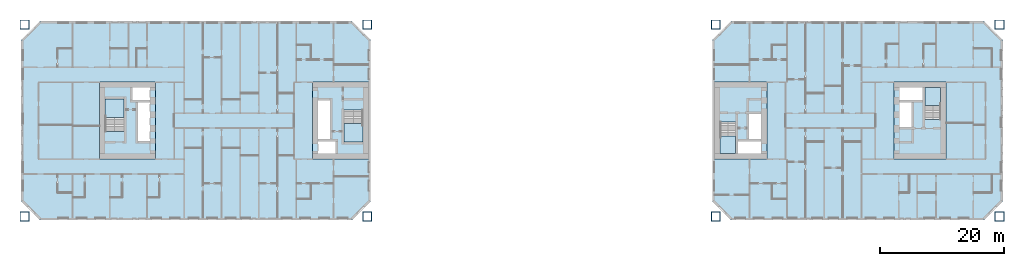
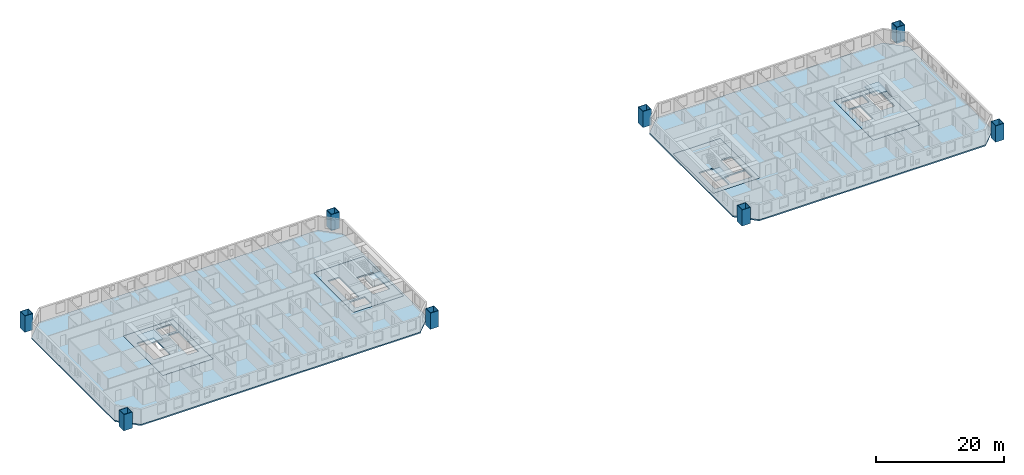
# One storey, part 1 of 17: 10 slabs, 8 columns, 4 elements without a shape of their own.
"""IFC4 building model written with IfcOpenShell, lengths in metres."""

from ifc_helpers import new_model, si_unit, direction, frame, origin, origin_2d, place, context, subcontext, project, spatial, polyline, hollow_rectangle, outline, extrude, material, layer, layer_set, material_profile, profile_set, type_object, element, aggregate, save


model = new_model("IFC4")

# Units and contexts
model_context = context("Model", 3, precision=1e-05, world=origin(), true_north=direction((0.0, 1.0)))
body_context = subcontext(model_context, "Body", "Model", "MODEL_VIEW")
ifc_project = project(units=[si_unit("LENGTHUNIT", "METRE"), si_unit("AREAUNIT", "SQUARE_METRE"), si_unit("VOLUMEUNIT", "CUBIC_METRE"), si_unit("PLANEANGLEUNIT", "RADIAN"), si_unit("MASSUNIT", "GRAM", prefix="KILO")], contexts=[model_context])

# Site, building, storey
site_placement = place(None, origin())
site = spatial("IfcSite", under=ifc_project, at=site_placement, CompositionType="ELEMENT")
building_placement = place(site_placement, origin())
building = spatial("IfcBuilding", under=site, at=building_placement, Name="Tuart Gate Housing", CompositionType="ELEMENT")
storey_placement = place(building_placement, frame((0.0, 0.0, 28.800048828125)))
storey = spatial("IfcBuildingStorey", under=building, at=storey_placement, Name="L07", CompositionType="ELEMENT", Elevation=28.800048828125)

# Columns
ifc_material_1 = material(Name="Steel Grade 350", Category="steel")
ifc_material_profile = material_profile(ifc_material_1, hollow_rectangle(XDim=1.5, YDim=1.5, WallThickness=0.080078125, at=origin_2d()), Name="BOX 1500x1500x80")
ifc_profile_set = profile_set([ifc_material_profile], Name="Steel Grade 350")
column_type = type_object("IfcColumnType", Name="Mega column BOX 1500x1500x80", PredefinedType="COLUMN", material=ifc_profile_set)
for number, where, z_axis, x_axis, name in (
    (1, (20.300048828125, 54.550048828125, 0.0), (0.0, 0.0, 1.0), (1.0, 0.0, 0.0), "Mega column A south-west L07"),
    (2, (75.449951171875, 54.550048828125, 0.0), (0.0, 0.0, 1.0), (1.0, 0.0, 0.0), "Mega column A south-east L07"),
    (3, (75.449951171875, 85.449951171875, 0.0), (0.0, 0.0, 1.0), (1.0, 0.0, 0.0), "Mega column A north-east L07"),
    (4, (20.300048828125, 85.449951171875, 0.0), (0.0, 0.0, 1.0), (1.0, 0.0, 0.0), "Mega column A north-west L07"),
    (5, (131.550048828125, 54.550048828125, 0.0), (0.0, 0.0, 1.0), (1.0, 0.0, 0.0), "Mega column B south-west L07"),
    (6, (177.199951171875, 54.550048828125, 0.0), (0.0, 0.0, 1.0), (1.0, 0.0, 0.0), "Mega column B south-east L07"),
    (7, (177.199951171875, 85.449951171875, 0.0), (0.0, 0.0, 1.0), (1.0, 0.0, 0.0), "Mega column B north-east L07"),
    (8, (131.550048828125, 85.449951171875, 0.0), (0.0, 0.0, 1.0), (1.0, 0.0, 0.0), "Mega column B north-west L07"),
):
    element("IfcColumn", number, at=place(storey_placement, frame(where, z_axis=z_axis, x_axis=x_axis)), inside=storey, type_object=column_type, Name=name, PredefinedType="COLUMN", context=body_context, shape_type="SweptSolid", body=[
        extrude(hollow_rectangle(XDim=1.5, YDim=1.5, WallThickness=0.080078125, at=origin_2d()), origin(), (0.0, 0.0, 1.0), 3.099853515625),
    ])

# Slabs
ifc_material_2 = material(Name="Concrete C40", Category="concrete")
ifc_layer_1 = layer(ifc_material_2, 0.25)
ifc_layer_set_1 = layer_set([ifc_layer_1], Name="Core floor slab 250")
slab_type_1 = type_object("IfcSlabType", Name="Core floor slab 250", PredefinedType="FLOOR", material=ifc_layer_set_1)
slab_1_placement = place(storey_placement, frame((0.0, 0.0, -0.25)))
element("IfcSlab", 9, at=slab_1_placement, inside=storey, type_object=slab_type_1, Name="Core floor AG", PredefinedType="FLOOR", context=body_context, shape_type="SweptSolid", body=[
    extrude(outline(polyline([(66.639892578125, 63.800048828125), (75.639892578125, 63.800048828125), (75.639892578125, 76.199951171875), (66.639892578125, 76.199951171875), (66.639892578125, 63.800048828125)]), holes=[polyline([(67.5400390625, 64.699951171875), (70.31005859375, 64.699951171875), (70.31005859375, 66.64990234375), (67.5400390625, 66.64990234375), (67.5400390625, 64.699951171875)]), polyline([(67.5400390625, 67.050048828125), (69.489990234375, 67.050048828125), (69.489990234375, 73.25), (67.5400390625, 73.25), (67.5400390625, 67.050048828125)]), polyline([(71.739990234375, 66.550048828125), (74.739990234375, 66.550048828125), (74.739990234375, 71.72998046875), (71.739990234375, 71.72998046875), (71.739990234375, 66.550048828125)])]), origin(), (0.0, 0.0, 1.0), 0.25),
])
slab_2_placement = place(storey_placement, frame((0.0, 0.0, -0.25)))
element("IfcSlab", 10, at=slab_2_placement, inside=storey, type_object=slab_type_1, Name="Core floor AK", PredefinedType="FLOOR", context=body_context, shape_type="SweptSolid", body=[
    extrude(outline(polyline([(32.360107421875, 63.800048828125), (41.360107421875, 63.800048828125), (41.360107421875, 76.199951171875), (32.360107421875, 76.199951171875), (32.360107421875, 63.800048828125)]), holes=[polyline([(40.4599609375, 75.300048828125), (37.68994140625, 75.300048828125), (37.68994140625, 73.35009765625), (40.4599609375, 73.35009765625), (40.4599609375, 75.300048828125)]), polyline([(40.4599609375, 72.949951171875), (38.510009765625, 72.949951171875), (38.510009765625, 66.75), (40.4599609375, 66.75), (40.4599609375, 72.949951171875)]), polyline([(36.260009765625, 73.449951171875), (33.260009765625, 73.449951171875), (33.260009765625, 68.27001953125), (36.260009765625, 68.27001953125), (36.260009765625, 73.449951171875)])]), origin(), (0.0, 0.0, 1.0), 0.25),
])
slab_3_placement = place(storey_placement, frame((0.0, 0.0, -0.25)))
element("IfcSlab", 11, at=slab_3_placement, inside=storey, type_object=slab_type_1, Name="Core floor BG", PredefinedType="FLOOR", context=body_context, shape_type="SweptSolid", body=[
    extrude(outline(polyline([(131.360107421875, 63.800048828125), (139.760009765625, 63.800048828125), (139.760009765625, 76.199951171875), (131.360107421875, 76.199951171875), (131.360107421875, 63.800048828125)]), holes=[polyline([(138.860107421875, 66.85009765625), (135.159912109375, 66.85009765625), (135.159912109375, 64.699951171875), (138.860107421875, 64.699951171875), (138.860107421875, 66.85009765625)]), polyline([(138.860107421875, 71.050048828125), (136.909912109375, 71.050048828125), (136.909912109375, 67.050048828125), (138.860107421875, 67.050048828125), (138.860107421875, 71.050048828125)]), polyline([(134.760009765625, 69.780029296875), (132.260009765625, 69.780029296875), (132.260009765625, 64.699951171875), (134.760009765625, 64.699951171875), (134.760009765625, 69.780029296875)])]), origin(), (0.0, 0.0, 1.0), 0.25),
])
slab_4_placement = place(storey_placement, frame((0.0, 0.0, -0.25)))
element("IfcSlab", 12, at=slab_4_placement, inside=storey, type_object=slab_type_1, Name="Core floor BK", PredefinedType="FLOOR", context=body_context, shape_type="SweptSolid", body=[
    extrude(outline(polyline([(160.239990234375, 63.800048828125), (168.639892578125, 63.800048828125), (168.639892578125, 76.199951171875), (160.239990234375, 76.199951171875), (160.239990234375, 63.800048828125)]), holes=[polyline([(161.139892578125, 73.14990234375), (164.840087890625, 73.14990234375), (164.840087890625, 75.300048828125), (161.139892578125, 75.300048828125), (161.139892578125, 73.14990234375)]), polyline([(161.139892578125, 68.949951171875), (163.090087890625, 68.949951171875), (163.090087890625, 72.949951171875), (161.139892578125, 72.949951171875), (161.139892578125, 68.949951171875)]), polyline([(165.239990234375, 70.219970703125), (167.739990234375, 70.219970703125), (167.739990234375, 75.300048828125), (165.239990234375, 75.300048828125), (165.239990234375, 70.219970703125)])]), origin(), (0.0, 0.0, 1.0), 0.25),
])
ifc_material_3 = material(Name="Concrete C40", Category="concrete")
ifc_layer_2 = layer(ifc_material_3, 0.25)
ifc_layer_set_2 = layer_set([ifc_layer_2], Name="Flat plate 250")
slab_type_2 = type_object("IfcSlabType", Name="Flat plate 250", PredefinedType="FLOOR", material=ifc_layer_set_2)
slab_5_placement = place(storey_placement, frame((0.0, 0.0, -0.25)))
element("IfcSlab", 13, at=slab_5_placement, inside=storey, type_object=slab_type_2, Name="Floor slab A L07", PredefinedType="FLOOR", context=body_context, shape_type="SweptSolid", body=[
    extrude(outline(polyline([(22.75, 86.0), (19.75, 83.0), (19.75, 57.0), (22.75, 54.0), (73.0, 54.0), (76.0, 57.0), (76.0, 83.0), (73.0, 86.0), (22.75, 86.0)]), holes=[polyline([(66.639892578125, 76.199951171875), (75.639892578125, 76.199951171875), (75.639892578125, 63.800048828125), (66.639892578125, 63.800048828125), (66.639892578125, 76.199951171875)]), polyline([(41.360107421875, 76.199951171875), (41.360107421875, 63.800048828125), (32.360107421875, 63.800048828125), (32.360107421875, 76.199951171875), (41.360107421875, 76.199951171875)])]), origin(), (0.0, 0.0, 1.0), 0.25),
])
slab_6_placement = place(storey_placement, frame((0.0, 0.0, -0.25)))
element("IfcSlab", 14, at=slab_6_placement, inside=storey, type_object=slab_type_2, Name="Floor slab B L07", PredefinedType="FLOOR", context=body_context, shape_type="SweptSolid", body=[
    extrude(outline(polyline([(134.0, 86.0), (131.0, 83.0), (131.0, 57.0), (134.0, 54.0), (174.75, 54.0), (177.75, 57.0), (177.75, 83.0), (174.75, 86.0), (134.0, 86.0)]), holes=[polyline([(131.360107421875, 76.199951171875), (139.760009765625, 76.199951171875), (139.760009765625, 63.800048828125), (131.360107421875, 63.800048828125), (131.360107421875, 76.199951171875)]), polyline([(168.639892578125, 76.199951171875), (168.639892578125, 63.800048828125), (160.239990234375, 63.800048828125), (160.239990234375, 76.199951171875), (168.639892578125, 76.199951171875)])]), origin(), (0.0, 0.0, 1.0), 0.25),
])

# Stair, slab
ifc_material_4 = material(Name="Concrete C40", Category="concrete")
stair_type_1 = type_object("IfcStairType", Name="Core stair 1500", PredefinedType="HALF_TURN_STAIR", material=ifc_material_4)
stair_1_placement = place(storey_placement, origin())
stair_1 = element("IfcStair", 15, at=stair_1_placement, inside=storey, type_object=stair_type_1, Name="Stair SA1", PredefinedType="HALF_TURN_STAIR")
ifc_material_5 = material(Name="Concrete C40", Category="concrete")
ifc_layer_3 = layer(ifc_material_5, 0.199951171875)
ifc_layer_set_3 = layer_set([ifc_layer_3], Name="Stair landing 200")
slab_type_3 = type_object("IfcSlabType", Name="Stair landing 200", PredefinedType="LANDING", material=ifc_layer_set_3)
slab_7_placement = place(storey_placement, frame((0.0, 0.0, 1.349853515625)))
slab_7 = element("IfcSlab", 16, at=slab_7_placement, type_object=slab_type_3, Name="SA1 landing 1", PredefinedType="LANDING", context=body_context, shape_type="SweptSolid", body=[
    extrude(outline(polyline([(71.739990234375, 66.550048828125), (74.739990234375, 66.550048828125), (74.739990234375, 69.510009765625), (71.739990234375, 69.510009765625), (71.739990234375, 66.550048828125)])), origin(), (0.0, 0.0, 1.0), 0.2001953125),
])
aggregate(stair_1, [slab_7])

stair_2_placement = place(storey_placement, origin())
stair_2 = element("IfcStair", 17, at=stair_2_placement, inside=storey, type_object=stair_type_1, Name="Stair SA2", PredefinedType="HALF_TURN_STAIR")
slab_8_placement = place(storey_placement, frame((0.0, 0.0, 1.349853515625)))
slab_8 = element("IfcSlab", 18, at=slab_8_placement, type_object=slab_type_3, Name="SA2 landing 1", PredefinedType="LANDING", context=body_context, shape_type="SweptSolid", body=[
    extrude(outline(polyline([(36.260009765625, 73.449951171875), (33.260009765625, 73.449951171875), (33.260009765625, 70.489990234375), (36.260009765625, 70.489990234375), (36.260009765625, 73.449951171875)])), origin(), (0.0, 0.0, 1.0), 0.2001953125),
])
aggregate(stair_2, [slab_8])

ifc_material_6 = material(Name="Concrete C40", Category="concrete")
stair_type_2 = type_object("IfcStairType", Name="Core stair 1250", PredefinedType="HALF_TURN_STAIR", material=ifc_material_6)
stair_3_placement = place(storey_placement, origin())
stair_3 = element("IfcStair", 19, at=stair_3_placement, inside=storey, type_object=stair_type_2, Name="Stair SB1", PredefinedType="HALF_TURN_STAIR")
slab_9_placement = place(storey_placement, frame((0.0, 0.0, 1.349853515625)))
slab_9 = element("IfcSlab", 20, at=slab_9_placement, type_object=slab_type_3, Name="SB1 landing 1", PredefinedType="LANDING", context=body_context, shape_type="SweptSolid", body=[
    extrude(outline(polyline([(134.760009765625, 67.56005859375), (132.260009765625, 67.56005859375), (132.260009765625, 64.699951171875), (134.760009765625, 64.699951171875), (134.760009765625, 67.56005859375)])), origin(), (0.0, 0.0, 1.0), 0.2001953125),
])
aggregate(stair_3, [slab_9])

stair_4_placement = place(storey_placement, origin())
stair_4 = element("IfcStair", 21, at=stair_4_placement, inside=storey, type_object=stair_type_2, Name="Stair SB2", PredefinedType="HALF_TURN_STAIR")
slab_10_placement = place(storey_placement, frame((0.0, 0.0, 1.349853515625)))
slab_10 = element("IfcSlab", 22, at=slab_10_placement, type_object=slab_type_3, Name="SB2 landing 1", PredefinedType="LANDING", context=body_context, shape_type="SweptSolid", body=[
    extrude(outline(polyline([(165.239990234375, 72.43994140625), (167.739990234375, 72.43994140625), (167.739990234375, 75.300048828125), (165.239990234375, 75.300048828125), (165.239990234375, 72.43994140625)])), origin(), (0.0, 0.0, 1.0), 0.2001953125),
])
aggregate(stair_4, [slab_10])

save(model, "model.ifc")
